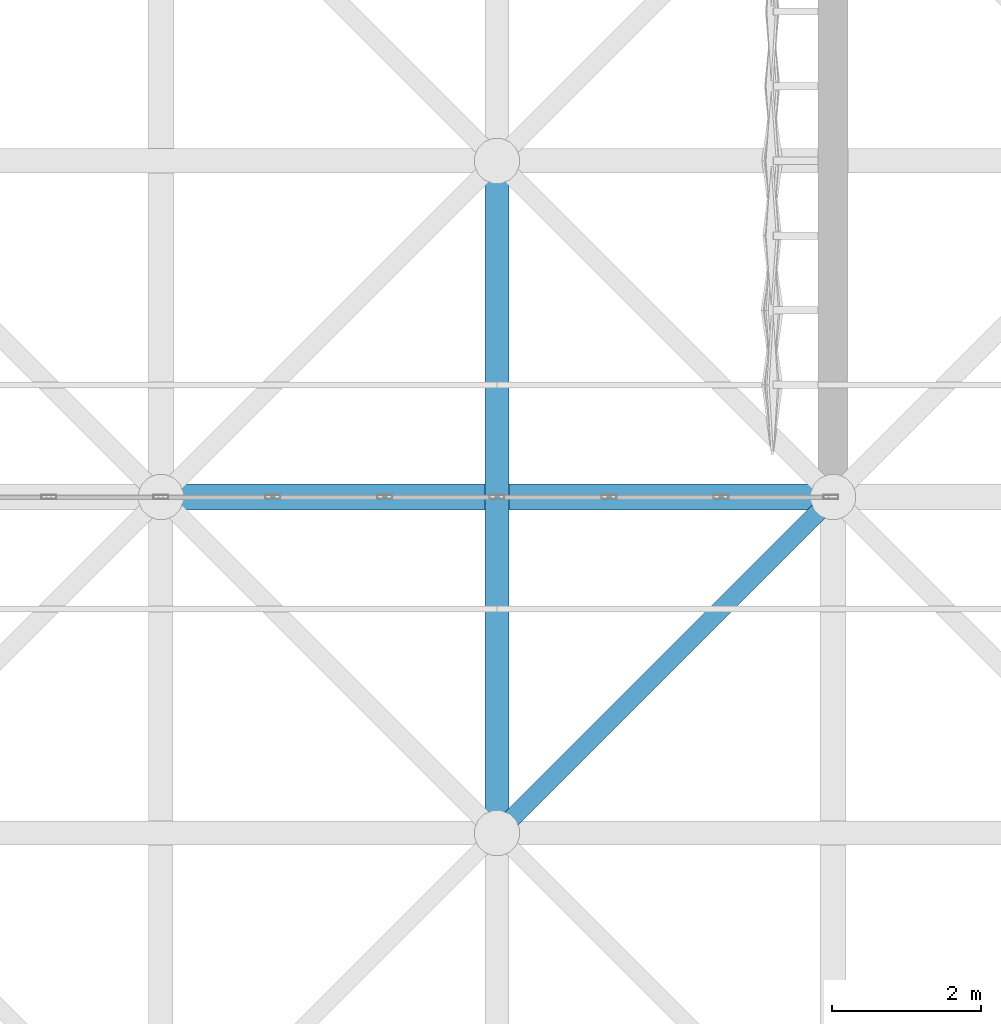
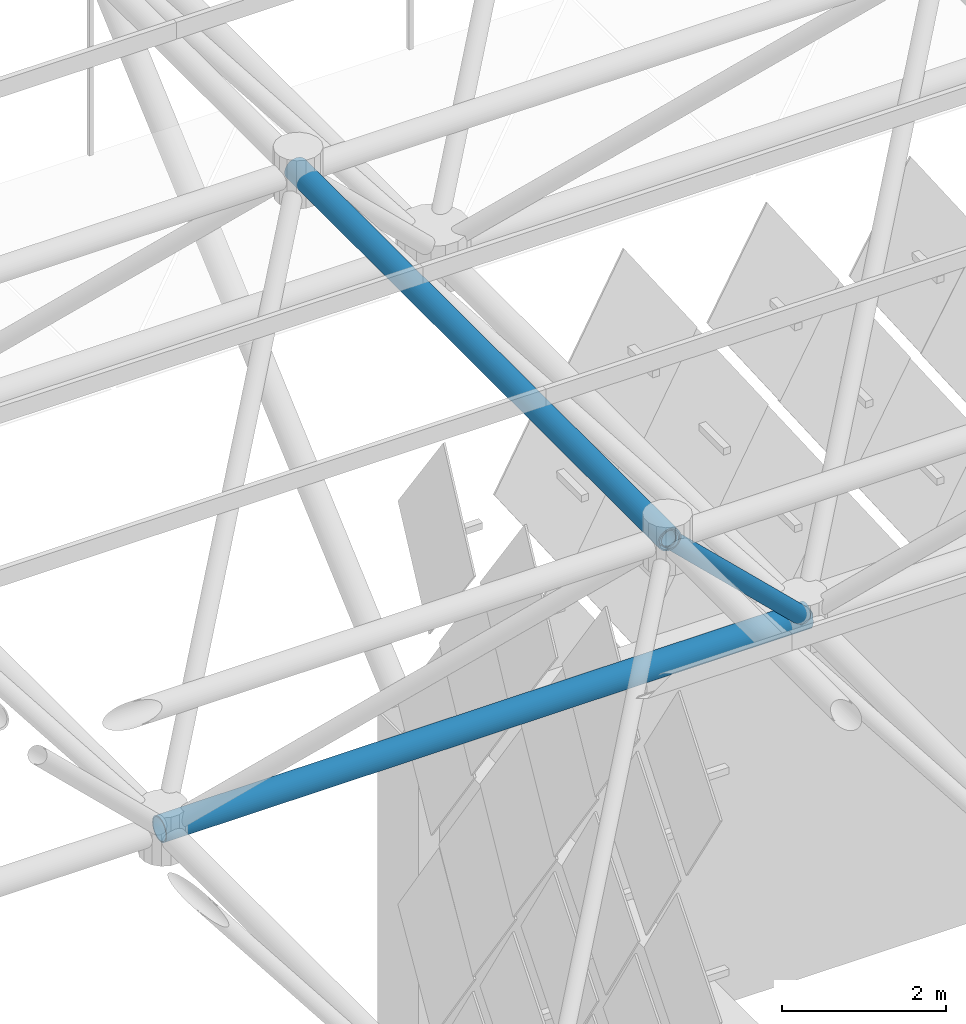
# One storey, part 187 of 437: 3 members.
"""IFC4 building model written with IfcOpenShell, lengths in metres."""

from ifc_helpers import new_model, si_unit, direction, frame, origin, origin_2d, place, context, subcontext, project, spatial, hollow_circle, extrude, material, material_profile, profile_set, type_object, element, save


model = new_model("IFC4")

# Units and contexts
model_context = context("Model", 3, precision=1e-05, world=origin(), true_north=direction((0.0, 1.0)))
body_context = subcontext(model_context, "Body", "Model", "MODEL_VIEW")
ifc_project = project(units=[si_unit("LENGTHUNIT", "METRE"), si_unit("AREAUNIT", "SQUARE_METRE"), si_unit("VOLUMEUNIT", "CUBIC_METRE"), si_unit("PLANEANGLEUNIT", "RADIAN"), si_unit("MASSUNIT", "GRAM", prefix="KILO")], contexts=[model_context])

# Site, building, storey
site_placement = place(None, origin())
site = spatial("IfcSite", under=ifc_project, at=site_placement, CompositionType="ELEMENT")
building_placement = place(site_placement, origin())
building = spatial("IfcBuilding", under=site, at=building_placement, Name="Opaline Strait Convention Centre", CompositionType="ELEMENT")
storey_placement = place(building_placement, frame((0.0, 0.0, 11.5)))
storey = spatial("IfcBuildingStorey", under=building, at=storey_placement, Name="L02", CompositionType="ELEMENT", Elevation=11.5)

# Members
ifc_material = material(Name="Steel Q355B", Category="steel")
ifc_material_profile_1 = material_profile(ifc_material, hollow_circle(Radius=0.175537109375, WallThickness=0.01611328125, at=origin_2d()), Name="CHS 351x16")
ifc_profile_set_1 = profile_set([ifc_material_profile_1], Name="Steel Q355B")
member_type_1 = type_object("IfcMemberType", Name="Space frame bottom chord CHS 351x16", PredefinedType="CHORD", material=ifc_profile_set_1)
member_1_placement = place(storey_placement, frame((197.949951171875, 144.0, 12.5), z_axis=(1.0, 0.0, 0.0), x_axis=(0.0, 1.0, 0.0)))
element("IfcMember", 1, at=member_1_placement, inside=storey, type_object=member_type_1, Name="EXB-RF-BX-12-11", PredefinedType="CHORD", context=body_context, shape_type="SweptSolid", body=[
    extrude(hollow_circle(Radius=0.175537109375, WallThickness=0.01611328125, at=origin_2d()), origin(), (0.0, 0.0, 1.0), 9.10009765625),
])
ifc_material_profile_2 = material_profile(ifc_material, hollow_circle(Radius=0.16259765625, WallThickness=0.02001953125, at=origin_2d()), Name="CHS 325x20")
ifc_profile_set_2 = profile_set([ifc_material_profile_2], Name="Steel Q355B")
member_type_2 = type_object("IfcMemberType", Name="Space frame top chord CHS 325x20", PredefinedType="CHORD", material=ifc_profile_set_2)
member_2_placement = place(storey_placement, frame((202.5, 139.449951171875, 17.971435546875), z_axis=(0.0, 1.0, 0.0), x_axis=(-1.0, 0.0, 0.0)))
element("IfcMember", 2, at=member_2_placement, inside=storey, type_object=member_type_2, Name="EXB-RF-TY-13-11", PredefinedType="CHORD", context=body_context, shape_type="SweptSolid", body=[
    extrude(hollow_circle(Radius=0.16259765625, WallThickness=0.02001953125, at=origin_2d()), origin(), (0.0, 0.0, 1.0), 9.10009765625),
])
ifc_material_profile_3 = material_profile(ifc_material, hollow_circle(Radius=0.12255859375, WallThickness=0.011962890625, at=origin_2d()), Name="CHS 245x12")
ifc_profile_set_3 = profile_set([ifc_material_profile_3], Name="Steel Q355B")
member_type_3 = type_object("IfcMemberType", Name="Space frame web CHS 245x12", PredefinedType="BRACE", material=ifc_profile_set_3)
member_3_placement = place(storey_placement, frame((202.47314453125, 139.47314453125, 18.004150390625), z_axis=(0.536178220346, 0.536178220346, -0.6519400525), x_axis=(-0.707106781187, 0.707106781187, 0.0)))
element("IfcMember", 3, at=member_3_placement, inside=storey, type_object=member_type_3, Name="EXB-RF-W-13-11-00", PredefinedType="BRACE", context=body_context, shape_type="SweptSolid", body=[
    extrude(hollow_circle(Radius=0.12255859375, WallThickness=0.011962890625, at=origin_2d()), origin(), (0.0, 0.0, 1.0), 8.492919921875),
])

save(model, "model.ifc")
